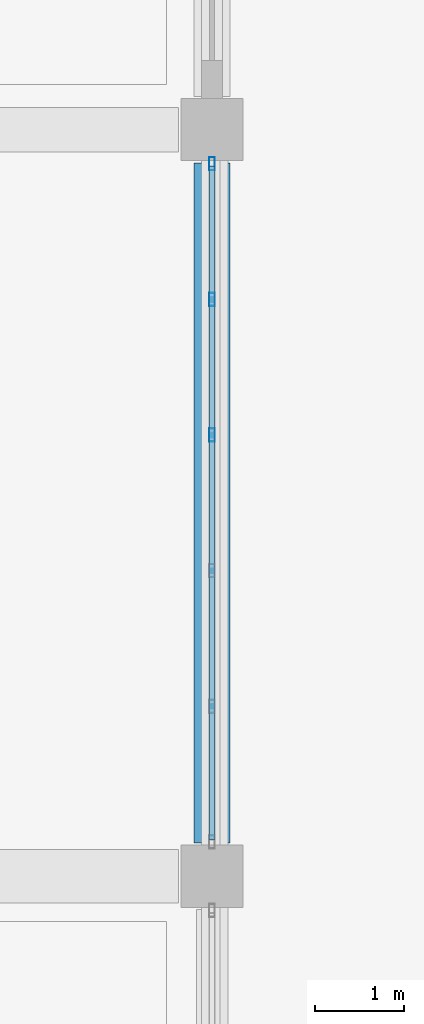
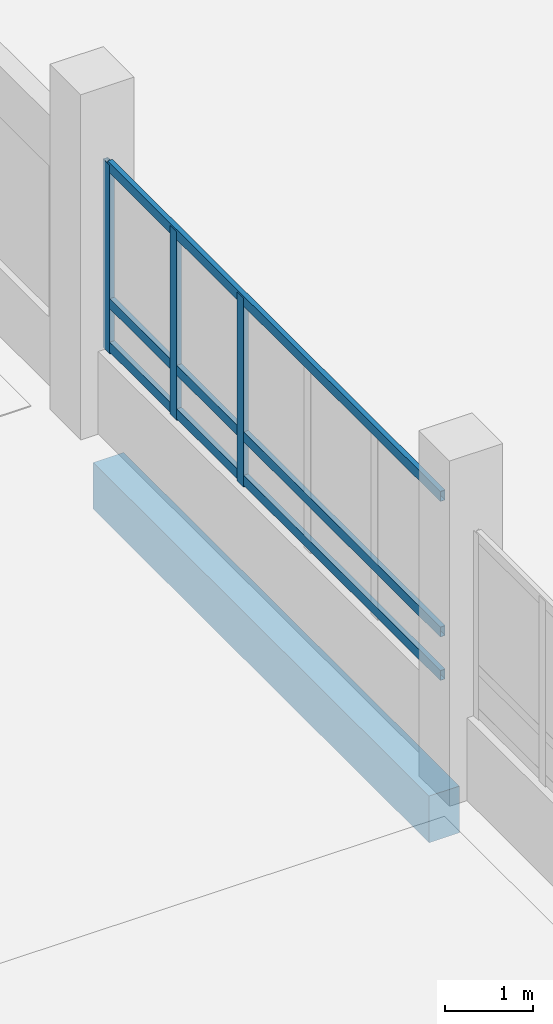
# One storey, part 35 of 95: 6 members, 1 beam, 1 element without a shape of its own.
"""IFC4 building model written with IfcOpenShell, lengths in metres."""

from ifc_helpers import new_model, si_unit, direction, frame, origin, origin_2d, place, context, subcontext, project, spatial, rectangle, hollow_rectangle, extrude, material, layer, layer_set, material_profile, profile_set, type_object, element, aggregate, save


model = new_model("IFC4")

# Units and contexts
model_context = context("Model", 3, precision=1e-05, world=origin(), true_north=direction((0.0, 1.0)))
body_context = subcontext(model_context, "Body", "Model", "MODEL_VIEW")
ifc_project = project(units=[si_unit("LENGTHUNIT", "METRE"), si_unit("AREAUNIT", "SQUARE_METRE"), si_unit("VOLUMEUNIT", "CUBIC_METRE"), si_unit("PLANEANGLEUNIT", "RADIAN"), si_unit("MASSUNIT", "GRAM", prefix="KILO")], contexts=[model_context])

# Site, building, storey
site_placement = place(None, origin())
site = spatial("IfcSite", under=ifc_project, at=site_placement, CompositionType="ELEMENT")
building_placement = place(site_placement, origin())
building = spatial("IfcBuilding", under=site, at=building_placement, Name="Vireocrest Preparatory School", CompositionType="ELEMENT")
storey_placement = place(building_placement, origin())
storey = spatial("IfcBuildingStorey", under=building, at=storey_placement, Name="L00", CompositionType="ELEMENT", Elevation=0.0)

# Curtain wall, members
ifc_material_1 = material(Name="Thermally broken aluminium EN AW-6063-T6", Category="aluminium")
ifc_layer = layer(ifc_material_1, 0.179931640625)
ifc_layer_set = layer_set([ifc_layer], Name="Thermally broken aluminium EN AW-6063-T6")
curtain_wall_type = type_object("IfcCurtainWallType", Name="Court Banded Curtain Wall 8400x3600", PredefinedType="USERDEFINED", material=ifc_layer_set)
curtain_wall_placement = place(storey_placement, origin())
curtain_wall = element("IfcCurtainWall", 1, at=curtain_wall_placement, inside=storey, type_object=curtain_wall_type, Name="Curtain Wall CW01 CW_L00_CW01_0672_0441_012", ObjectType="CURTAIN WALL", PredefinedType="USERDEFINED")
ifc_material_profile_1 = material_profile(ifc_material_1, hollow_rectangle(XDim=0.06494140625, YDim=0.14990234375, WallThickness=0.00390625, at=origin_2d()), Name="ALU 65x150x4")
ifc_profile_set_1 = profile_set([ifc_material_profile_1], Name="Thermally broken aluminium EN AW-6063-T6")
member_type_1 = type_object("IfcMemberType", Name="CW Mullion 65x150x4", PredefinedType="MULLION", material=ifc_profile_set_1)
member_1_placement = place(storey_placement, frame((67.199951171875, 48.762939453125, 1.14990234375), z_axis=(0.0, 0.0, 1.0), x_axis=(1.0, 0.0, 0.0)))
member_1 = element("IfcMember", 2, at=member_1_placement, type_object=member_type_1, Name="CW Mullion ML1 CW_L00_CW01_0672_0441_012-4", PredefinedType="MULLION", context=body_context, shape_type="SweptSolid", body=[
    extrude(hollow_rectangle(XDim=0.06494140625, YDim=0.14990234375, WallThickness=0.00390625, at=origin_2d()), origin(), (0.0, 0.0, 1.0), 2.625),
])
member_2_placement = place(storey_placement, frame((67.199951171875, 50.2890625, 1.14990234375), z_axis=(0.0, 0.0, 1.0), x_axis=(1.0, 0.0, 0.0)))
member_2 = element("IfcMember", 3, at=member_2_placement, type_object=member_type_1, Name="CW Mullion ML1 CW_L00_CW01_0672_0441_012-5", PredefinedType="MULLION", context=body_context, shape_type="SweptSolid", body=[
    extrude(hollow_rectangle(XDim=0.06494140625, YDim=0.14990234375, WallThickness=0.00390625, at=origin_2d()), origin(), (0.0, 0.0, 1.0), 2.625),
])
member_3_placement = place(storey_placement, frame((67.199951171875, 51.81494140625, 1.14990234375), z_axis=(0.0, 0.0, 1.0), x_axis=(1.0, 0.0, 0.0)))
member_3 = element("IfcMember", 4, at=member_3_placement, type_object=member_type_1, Name="CW Mullion ML1 CW_L00_CW01_0672_0441_012-6", PredefinedType="MULLION", context=body_context, shape_type="SweptSolid", body=[
    extrude(hollow_rectangle(XDim=0.06494140625, YDim=0.14990234375, WallThickness=0.00390625, at=origin_2d()), origin(), (0.0, 0.0, 1.0), 2.625),
])
ifc_material_profile_2 = material_profile(ifc_material_1, hollow_rectangle(XDim=0.06494140625, YDim=0.139892578125, WallThickness=0.00390625, at=origin_2d()), Name="ALU 65x140x4")
ifc_profile_set_2 = profile_set([ifc_material_profile_2], Name="Thermally broken aluminium EN AW-6063-T6")
member_type_2 = type_object("IfcMemberType", Name="CW Transom 65x140x4", PredefinedType="USERDEFINED", material=ifc_profile_set_2)
member_4_placement = place(storey_placement, frame((67.199951171875, 44.2099609375, 1.2451171875), z_axis=(0.0, 1.0, 0.0), x_axis=(-1.0, 0.0, 0.0)))
member_4 = element("IfcMember", 5, at=member_4_placement, type_object=member_type_2, Name="CW Transom TR1 CW_L00_CW01_0672_0441_012-1", ObjectType="TRANSOM", PredefinedType="USERDEFINED", context=body_context, shape_type="SweptSolid", body=[
    extrude(hollow_rectangle(XDim=0.06494140625, YDim=0.139892578125, WallThickness=0.00390625, at=origin_2d()), origin(), (0.0, 0.0, 1.0), 7.580078125),
])
member_5_placement = place(storey_placement, frame((67.199951171875, 44.2099609375, 1.85009765625), z_axis=(0.0, 1.0, 0.0), x_axis=(-1.0, 0.0, 0.0)))
member_5 = element("IfcMember", 6, at=member_5_placement, type_object=member_type_2, Name="CW Transom TR1 CW_L00_CW01_0672_0441_012-2", ObjectType="TRANSOM", PredefinedType="USERDEFINED", context=body_context, shape_type="SweptSolid", body=[
    extrude(hollow_rectangle(XDim=0.06494140625, YDim=0.139892578125, WallThickness=0.00390625, at=origin_2d()), origin(), (0.0, 0.0, 1.0), 7.580078125),
])
member_6_placement = place(storey_placement, frame((67.199951171875, 44.2099609375, 3.735107421875), z_axis=(0.0, 1.0, 0.0), x_axis=(-1.0, 0.0, 0.0)))
member_6 = element("IfcMember", 7, at=member_6_placement, type_object=member_type_2, Name="CW Transom TR1 CW_L00_CW01_0672_0441_012-3", ObjectType="TRANSOM", PredefinedType="USERDEFINED", context=body_context, shape_type="SweptSolid", body=[
    extrude(hollow_rectangle(XDim=0.06494140625, YDim=0.139892578125, WallThickness=0.00390625, at=origin_2d()), origin(), (0.0, 0.0, 1.0), 7.580078125),
])
aggregate(curtain_wall, [member_1, member_2, member_3, member_4, member_5, member_6])

# Beam
ifc_material_2 = material(Name="Concrete 40 MPa", Category="concrete")
ifc_material_profile_3 = material_profile(ifc_material_2, rectangle(XDim=0.39990234375, YDim=0.64990234375, at=origin_2d()), Name="RC 400x650")
ifc_profile_set_3 = profile_set([ifc_material_profile_3], Name="Concrete 40 MPa")
beam_type = type_object("IfcBeamType", Name="RC Laboratory Girder 400x650", PredefinedType="BEAM", material=ifc_profile_set_3)
beam_placement = place(storey_placement, frame((67.199951171875, 44.175048828125, -0.675048828125), z_axis=(0.0, 1.0, 0.0), x_axis=(-1.0, 0.0, 0.0)))
element("IfcBeam", 8, at=beam_placement, inside=storey, type_object=beam_type, Name="Primary Girder B07 L00-0180", PredefinedType="BEAM", context=body_context, shape_type="SweptSolid", body=[
    extrude(rectangle(XDim=0.39990234375, YDim=0.64990234375, at=origin_2d()), origin(), (0.0, 0.0, 1.0), 7.64990234375),
])

save(model, "model.ifc")
